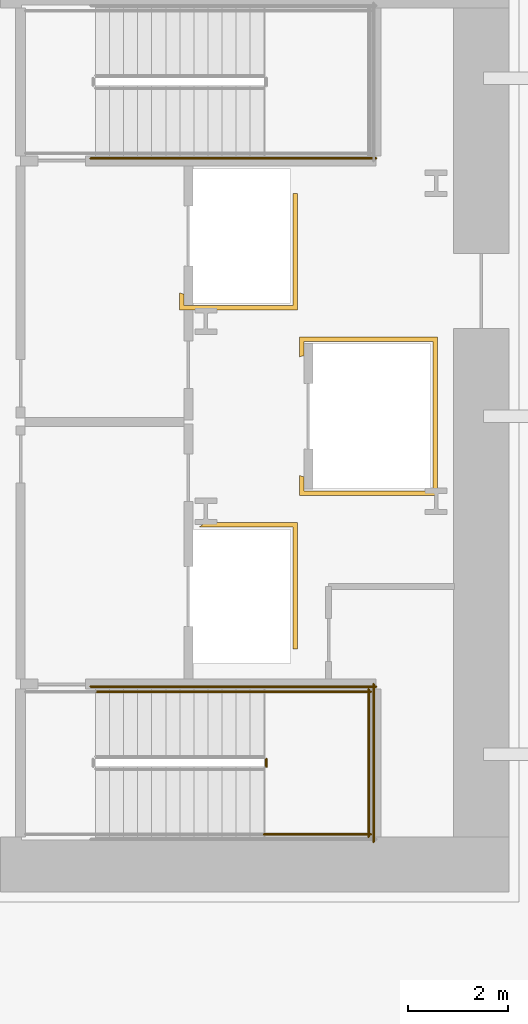
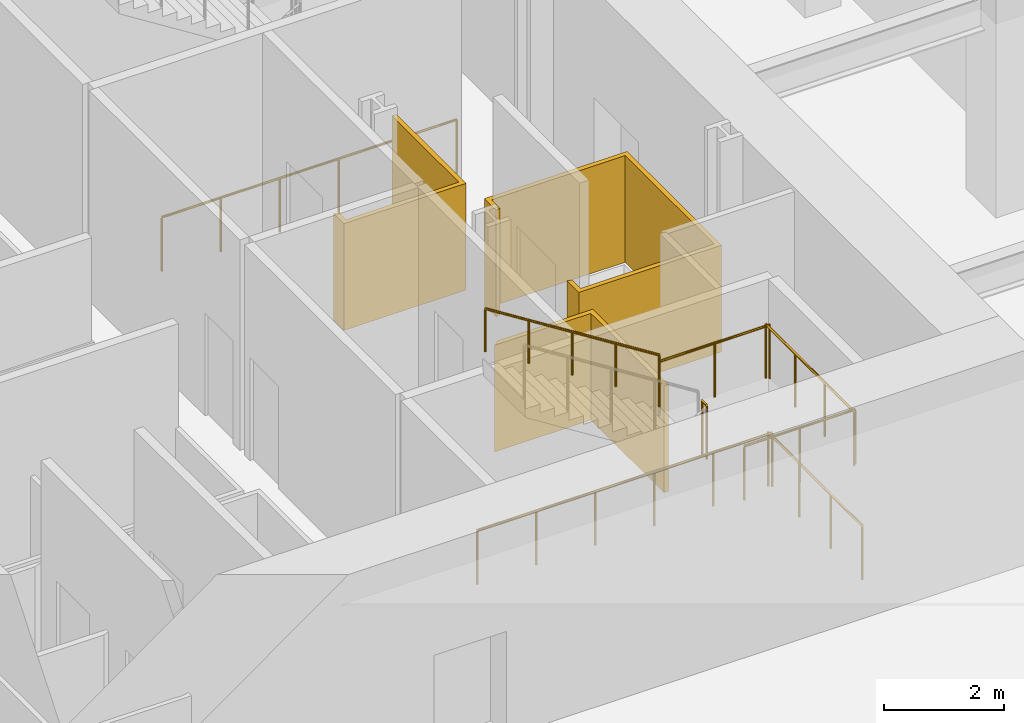
# One storey, part 19 of 24: 8 railings, 3 coverings.
"""IFC4 building model written with IfcOpenShell, lengths in metres."""

from ifc_helpers import new_model, si_unit, direction, frame, origin, origin_2d, place, context, subcontext, project, spatial, polyline, circle, outline, extrude, material, layer, layer_set, type_object, element, save


model = new_model("IFC4")

# Units and contexts
model_context = context("Model", 3, precision=1e-05, world=origin(), true_north=direction((0.0, 1.0)))
body_context = subcontext(model_context, "Body", "Model", "MODEL_VIEW")
ifc_project = project(units=[si_unit("LENGTHUNIT", "METRE"), si_unit("AREAUNIT", "SQUARE_METRE"), si_unit("VOLUMEUNIT", "CUBIC_METRE"), si_unit("PLANEANGLEUNIT", "RADIAN"), si_unit("MASSUNIT", "GRAM", prefix="KILO")], contexts=[model_context])

# Site, building, storey
site_placement = place(None, origin())
site = spatial("IfcSite", under=ifc_project, at=site_placement, CompositionType="ELEMENT")
building_placement = place(site_placement, origin())
building = spatial("IfcBuilding", under=site, at=building_placement, Name="Valkerne Bourse Tower", CompositionType="ELEMENT")
storey_placement = place(building_placement, frame((0.0, 0.0, 19.39990234375)))
storey = spatial("IfcBuildingStorey", under=building, at=storey_placement, Name="L04", CompositionType="ELEMENT", Elevation=19.39990234375)

# Coverings
ifc_material_1 = material(Name="Gypsum Shaftwall Liner Board", Category="gypsum")
ifc_layer = layer(ifc_material_1, 0.080078125)
ifc_layer_set = layer_set([ifc_layer], Name="Gypsum Shaftwall Liner Board")
covering_type = type_object("IfcCoveringType", Name="COV-SHF-CLAD", PredefinedType="CLADDING", material=ifc_layer_set)
covering_1_placement = place(storey_placement, origin())
element("IfcCovering", 1, at=covering_1_placement, inside=storey, type_object=covering_type, Name="L04 Hoistway & Riser Shaftwall Liner 07", PredefinedType="CLADDING", context=body_context, shape_type="SweptSolid", body=[
    extrude(outline(polyline([(52.179931640625, 22.35009765625), (52.090087890625, 22.35009765625), (52.090087890625, 24.7900390625), (50.2236328125, 24.7900390625), (50.25, 24.805908203125), (50.285400390625, 24.83203125), (50.318115234375, 24.86181640625), (50.334716796875, 24.8798828125), (52.179931640625, 24.8798828125), (52.179931640625, 22.35009765625)])), origin(), (0.0, 0.0, 1.0), 2.18017578125),
])
covering_2_placement = place(storey_placement, origin())
element("IfcCovering", 2, at=covering_2_placement, inside=storey, type_object=covering_type, Name="L04 Hoistway & Riser Shaftwall Liner 09", PredefinedType="CLADDING", context=body_context, shape_type="SweptSolid", body=[
    extrude(outline(polyline([(54.97998046875, 25.419921875), (52.219970703125, 25.419921875), (52.219970703125, 25.81787109375), (52.227783203125, 25.814208984375), (52.269287109375, 25.79931640625), (52.31005859375, 25.789306640625), (52.31005859375, 25.510009765625), (54.889892578125, 25.510009765625), (54.889892578125, 28.489990234375), (52.31005859375, 28.489990234375), (52.31005859375, 28.210693359375), (52.269287109375, 28.20068359375), (52.227783203125, 28.185791015625), (52.219970703125, 28.18212890625), (52.219970703125, 28.580078125), (54.97998046875, 28.580078125), (54.97998046875, 25.419921875)])), origin(), (0.0, 0.0, 1.0), 2.18017578125),
])
covering_3_placement = place(storey_placement, origin())
element("IfcCovering", 3, at=covering_3_placement, inside=storey, type_object=covering_type, Name="L04 Hoistway & Riser Shaftwall Liner 11", PredefinedType="CLADDING", context=body_context, shape_type="SweptSolid", body=[
    extrude(outline(polyline([(49.820068359375, 29.1201171875), (49.820068359375, 29.468017578125), (49.827880859375, 29.46435546875), (49.869384765625, 29.449462890625), (49.909912109375, 29.439208984375), (49.909912109375, 29.2099609375), (52.090087890625, 29.2099609375), (52.090087890625, 31.449951171875), (52.179931640625, 31.449951171875), (52.179931640625, 29.1201171875), (49.820068359375, 29.1201171875)])), origin(), (0.0, 0.0, 1.0), 2.18017578125),
])

# Railings
ifc_material_2 = material(Name="Galvanised Painted Steel", Category="steel")
railing_type_1 = type_object("IfcRailingType", Name="RLG-ST-GUARD-1120", PredefinedType="GUARDRAIL", material=ifc_material_2)
railing_1_placement = place(storey_placement, frame((51.56005859375, 20.0, 2.300048828125)))
element("IfcRailing", 4, at=railing_1_placement, inside=storey, type_object=railing_type_1, Name="L04 ST-1 stair guard 2", PredefinedType="GUARDRAIL", context=body_context, shape_type="SweptSolid", body=[
    extrude(circle(Radius=0.02392578125, at=origin_2d()), frame((0.0, 0.0, 1.09619140625), z_axis=(0.0, 1.0, 0.0), x_axis=(-1.0, 0.0, 0.0)), (0.0, 0.0, 1.0), 0.14990234375),
    extrude(circle(Radius=0.02099609375, at=origin_2d()), origin(), (0.0, 0.0, 1.0), 1.072021484375),
    extrude(circle(Radius=0.02099609375, at=origin_2d()), frame((0.0, 0.14990234375, 0.0)), (0.0, 0.0, 1.0), 1.072021484375),
])
for number, where, name in (
    (5, (51.510009765625, 18.64990234375, 2.300048828125), "L04 ST-1 stair guard 3"),
    (6, (51.510009765625, 21.5, 2.300048828125), "L04 ST-1 stair guard 4"),
):
    element("IfcRailing", number, at=place(storey_placement, frame(where)), inside=storey, type_object=railing_type_1, Name=name, PredefinedType="GUARDRAIL", context=body_context, shape_type="SweptSolid", body=[
        extrude(circle(Radius=0.02392578125, at=origin_2d()), frame((0.0, 0.0, 1.09619140625), z_axis=(1.0, 0.0, 0.0), x_axis=(0.0, 1.0, 0.0)), (0.0, 0.0, 1.0), 2.139892578125),
        extrude(circle(Radius=0.02099609375, at=origin_2d()), origin(), (0.0, 0.0, 1.0), 1.072021484375),
        extrude(circle(Radius=0.02099609375, at=origin_2d()), frame((1.06982421875, 0.0, 0.0)), (0.0, 0.0, 1.0), 1.072021484375),
        extrude(circle(Radius=0.02099609375, at=origin_2d()), frame((2.139892578125, 0.0, 0.0)), (0.0, 0.0, 1.0), 1.072021484375),
    ])
railing_2_placement = place(storey_placement, frame((53.60009765625, 18.60009765625, 2.300048828125)))
element("IfcRailing", 7, at=railing_2_placement, inside=storey, type_object=railing_type_1, Name="L04 ST-1 stair guard 5", PredefinedType="GUARDRAIL", context=body_context, shape_type="SweptSolid", body=[
    extrude(circle(Radius=0.02392578125, at=origin_2d()), frame((0.0, 0.0, 1.09619140625), z_axis=(0.0, 1.0, 0.0), x_axis=(-1.0, 0.0, 0.0)), (0.0, 0.0, 1.0), 2.949951171875),
    extrude(circle(Radius=0.02099609375, at=origin_2d()), origin(), (0.0, 0.0, 1.0), 1.072021484375),
    extrude(circle(Radius=0.02099609375, at=origin_2d()), frame((0.0, 0.9833984375, 0.0)), (0.0, 0.0, 1.0), 1.072021484375),
    extrude(circle(Radius=0.02099609375, at=origin_2d()), frame((0.0, 1.966552734375, 0.0)), (0.0, 0.0, 1.0), 1.072021484375),
    extrude(circle(Radius=0.02099609375, at=origin_2d()), frame((0.0, 2.949951171875, 0.0)), (0.0, 0.0, 1.0), 1.072021484375),
])
railing_3_placement = place(storey_placement, frame((48.050048828125, 21.60009765625, 0.0)))
element("IfcRailing", 8, at=railing_3_placement, inside=storey, type_object=railing_type_1, Name="L04 ST-1 stair guard 11", PredefinedType="GUARDRAIL", context=body_context, shape_type="SweptSolid", body=[
    extrude(circle(Radius=0.02392578125, at=origin_2d()), frame((0.0, 0.0, 1.09619140625), z_axis=(1.0, 0.0, 0.0), x_axis=(0.0, 1.0, 0.0)), (0.0, 0.0, 1.0), 5.699951171875),
    extrude(circle(Radius=0.02099609375, at=origin_2d()), origin(), (0.0, 0.0, 1.0), 1.072021484375),
    extrude(circle(Radius=0.02099609375, at=origin_2d()), frame((1.139892578125, 0.0, 0.0)), (0.0, 0.0, 1.0), 1.072021484375),
    extrude(circle(Radius=0.02099609375, at=origin_2d()), frame((2.280029296875, 0.0, 0.0)), (0.0, 0.0, 1.0), 1.072021484375),
    extrude(circle(Radius=0.02099609375, at=origin_2d()), frame((3.419921875, 0.0, 0.0)), (0.0, 0.0, 1.0), 1.072021484375),
    extrude(circle(Radius=0.02099609375, at=origin_2d()), frame((4.56005859375, 0.0, 0.0)), (0.0, 0.0, 1.0), 1.072021484375),
    extrude(circle(Radius=0.02099609375, at=origin_2d()), frame((5.699951171875, 0.0, 0.0)), (0.0, 0.0, 1.0), 1.072021484375),
])
railing_4_placement = place(storey_placement, frame((53.699951171875, 18.5, 0.0)))
element("IfcRailing", 9, at=railing_4_placement, inside=storey, type_object=railing_type_1, Name="L04 ST-1 stair guard 12", PredefinedType="GUARDRAIL", context=body_context, shape_type="SweptSolid", body=[
    extrude(circle(Radius=0.02392578125, at=origin_2d()), frame((0.0, 0.0, 1.09619140625), z_axis=(0.0, 1.0, 0.0), x_axis=(-1.0, 0.0, 0.0)), (0.0, 0.0, 1.0), 3.14990234375),
    extrude(circle(Radius=0.02099609375, at=origin_2d()), origin(), (0.0, 0.0, 1.0), 1.072021484375),
    extrude(circle(Radius=0.02099609375, at=origin_2d()), frame((0.0, 1.050048828125, 0.0)), (0.0, 0.0, 1.0), 1.072021484375),
    extrude(circle(Radius=0.02099609375, at=origin_2d()), frame((0.0, 2.099853515625, 0.0)), (0.0, 0.0, 1.0), 1.072021484375),
    extrude(circle(Radius=0.02099609375, at=origin_2d()), frame((0.0, 3.14990234375, 0.0)), (0.0, 0.0, 1.0), 1.072021484375),
])
railing_5_placement = place(storey_placement, frame((48.050048828125, 32.14990234375, 0.0)))
element("IfcRailing", 10, at=railing_5_placement, inside=storey, type_object=railing_type_1, Name="L04 ST-2 stair guard 10", PredefinedType="GUARDRAIL", context=body_context, shape_type="SweptSolid", body=[
    extrude(circle(Radius=0.02392578125, at=origin_2d()), frame((0.0, 0.0, 1.09619140625), z_axis=(1.0, 0.0, 0.0), x_axis=(0.0, 1.0, 0.0)), (0.0, 0.0, 1.0), 5.699951171875),
    extrude(circle(Radius=0.02099609375, at=origin_2d()), origin(), (0.0, 0.0, 1.0), 1.072021484375),
    extrude(circle(Radius=0.02099609375, at=origin_2d()), frame((1.139892578125, 0.0, 0.0)), (0.0, 0.0, 1.0), 1.072021484375),
    extrude(circle(Radius=0.02099609375, at=origin_2d()), frame((2.280029296875, 0.0, 0.0)), (0.0, 0.0, 1.0), 1.072021484375),
    extrude(circle(Radius=0.02099609375, at=origin_2d()), frame((3.419921875, 0.0, 0.0)), (0.0, 0.0, 1.0), 1.072021484375),
    extrude(circle(Radius=0.02099609375, at=origin_2d()), frame((4.56005859375, 0.0, 0.0)), (0.0, 0.0, 1.0), 1.072021484375),
    extrude(circle(Radius=0.02099609375, at=origin_2d()), frame((5.699951171875, 0.0, 0.0)), (0.0, 0.0, 1.0), 1.072021484375),
])
ifc_material_3 = material(Name="Stainless Steel AISI 316", Category="steel")
railing_type_2 = type_object("IfcRailingType", Name="RLG-ST-HANDRAIL-900", PredefinedType="HANDRAIL", material=ifc_material_3)
railing_6_placement = place(storey_placement, frame((51.510009765625, 21.5, 2.654052734375)))
element("IfcRailing", 11, at=railing_6_placement, inside=storey, type_object=railing_type_2, Name="L04 ST-1 stair handrail 2", PredefinedType="HANDRAIL", context=body_context, shape_type="SweptSolid", body=[
    extrude(circle(Radius=0.02392578125, at=origin_2d()), frame((0.0, 0.0, 0.8759765625), z_axis=(-0.845389635667, 0.0, 0.534150132366), x_axis=(0.0, -1.0, 0.0)), (0.0, 0.0, 1.0), 3.974609375),
    extrude(circle(Radius=0.02099609375, at=origin_2d()), origin(), (0.0, 0.0, 1.0), 0.851806640625),
    extrude(circle(Radius=0.02099609375, at=origin_2d()), frame((-0.840087890625, 0.0, 0.53076171875)), (0.0, 0.0, 1.0), 0.851806640625),
    extrude(circle(Radius=0.02099609375, at=origin_2d()), frame((-1.68017578125, 0.0, 1.0615234375)), (0.0, 0.0, 1.0), 0.851806640625),
    extrude(circle(Radius=0.02099609375, at=origin_2d()), frame((-2.52001953125, 0.0, 1.59228515625)), (0.0, 0.0, 1.0), 0.851806640625),
    extrude(circle(Radius=0.02099609375, at=origin_2d()), frame((-3.360107421875, 0.0, 2.123046875)), (0.0, 0.0, 1.0), 0.851806640625),
])

save(model, "model.ifc")
